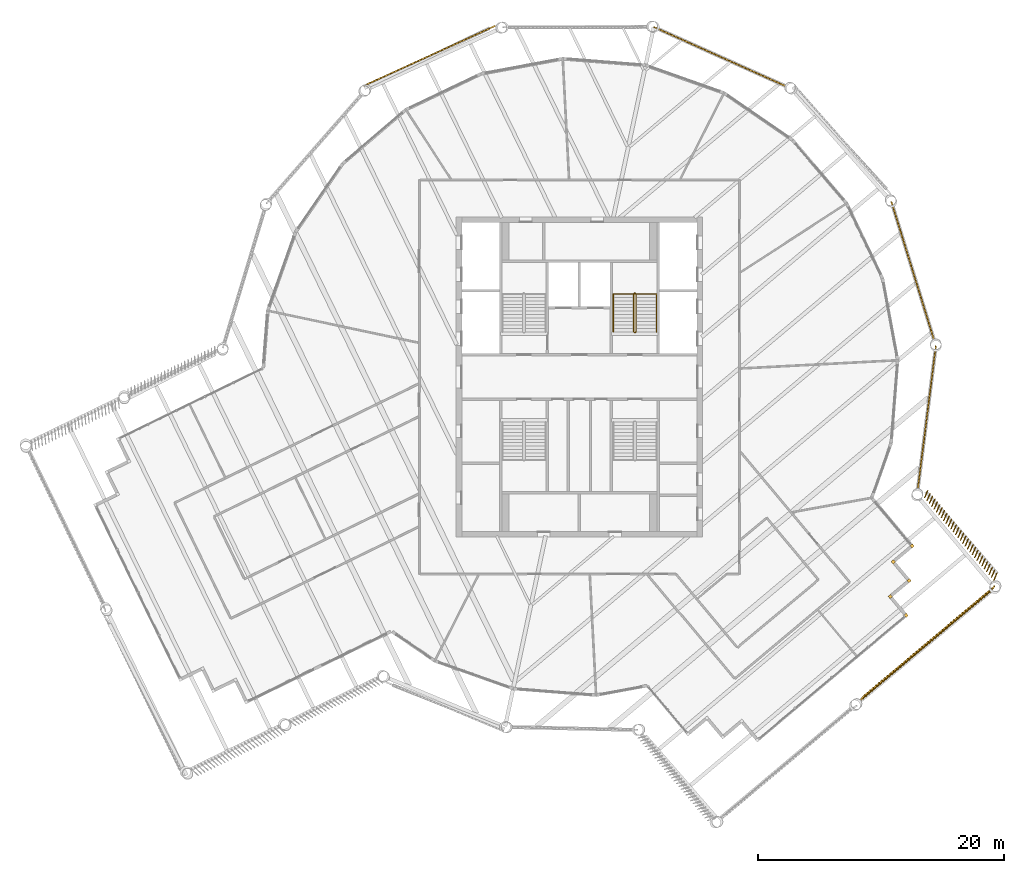
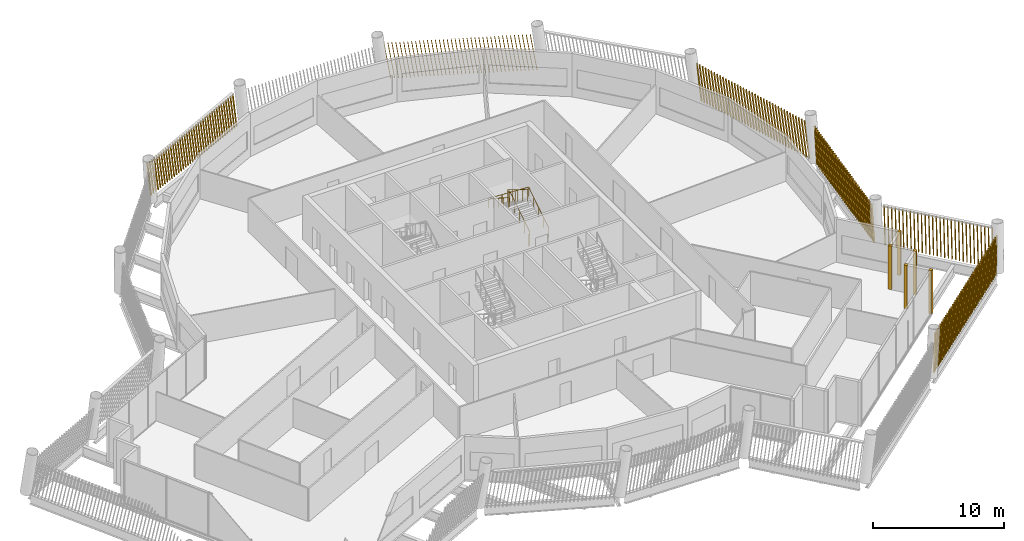
# One storey, part 29 of 31: 11 shading devices, 2 railings.
"""IFC4 building model written with IfcOpenShell, lengths in metres."""

import ifcopenshell
import ifcopenshell.guid

model = None  # the IFC model being written
_history = None  # IfcOwnerHistory: only IFC2X3 demands one
_inside = {}  # id of a spatial element -> (the spatial element, [elements in it])
_under = {}  # id of a project, library or spatial element -> (it, [spatial elements below it])
_declared = {}  # id of a project -> (the project, [libraries it declares])
_typed = {}  # id of a type object -> (the type object, [elements of that type])
_made_of = {}  # id of a material, layer set ... -> (it, [elements and type objects made of it])


def new_model(schema):
    """Start an empty IFC model of exactly this schema.

    Asked for "IFC4X3", IfcOpenShell would pick the latest addendum, in which some entities
    have other attributes; the version numbers below select the first issue.
    IFC2X3 requires an IfcOwnerHistory on every rooted entity: one is made here for all.
    """
    global model, _history
    if schema == "IFC4X3":
        model = ifcopenshell.file(schema_version=(4, 3, 0, 0))
    else:
        model = ifcopenshell.file(schema=schema)
    _inside.clear()
    _under.clear()
    _declared.clear()
    _typed.clear()
    _made_of.clear()
    _history = None
    if model.schema == "IFC2X3":
        org = make("IfcOrganization", Name="unknown")
        user = make(
            "IfcPersonAndOrganization",
            ThePerson=make("IfcPerson", FamilyName="unknown"),
            TheOrganization=org,
        )
        app = make(
            "IfcApplication",
            ApplicationDeveloper=org,
            Version="unknown",
            ApplicationFullName="unknown",
            ApplicationIdentifier="unknown",
        )
        _history = make(
            "IfcOwnerHistory",
            OwningUser=user,
            OwningApplication=app,
            ChangeAction="ADDED",
            CreationDate=0,
        )
    return model


def make(cls, **values):
    """One entity of the class cls with the attributes given. An attribute that is None is left unset."""
    return model.create_entity(
        cls, **{name: value for name, value in values.items() if value is not None}
    )


def rooted(cls, **values):
    """An entity with a GlobalId (a new one), such as an element, a storey or a relation."""
    return make(cls, GlobalId=ifcopenshell.guid.new(), OwnerHistory=_history, **values)


def si_unit(unit_type, name, prefix=None):
    """IfcSIUnit, for example si_unit("LENGTHUNIT", "METRE", prefix="MILLI")."""
    return make("IfcSIUnit", UnitType=unit_type, Prefix=prefix, Name=name)


def assignment(units):
    """IfcUnitAssignment: the units of a project."""
    return None if units is None else make("IfcUnitAssignment", Units=units)


def point(xyz):
    """IfcCartesianPoint."""
    return None if xyz is None else make("IfcCartesianPoint", Coordinates=xyz)


def direction(xyz):
    """IfcDirection."""
    return None if xyz is None else make("IfcDirection", DirectionRatios=xyz)


def frame(location, z_axis=None, x_axis=None):
    """IfcAxis2Placement3D, a coordinate frame: its origin and axes. An axis left out is left unset."""
    return make(
        "IfcAxis2Placement3D",
        Location=point(location),
        Axis=direction(z_axis),
        RefDirection=direction(x_axis),
    )


def frame_2d(location, x_axis=None):
    """IfcAxis2Placement2D, a coordinate frame in the plane: its origin and x axis."""
    return make(
        "IfcAxis2Placement2D", Location=point(location), RefDirection=direction(x_axis)
    )


def origin():
    """The frame at (0, 0, 0) with its axes left unset."""
    return frame((0.0, 0.0, 0.0))


def origin_2d():
    """The frame at (0, 0) in the plane with its x axis left unset."""
    return frame_2d((0.0, 0.0))


def place(relative_to, where):
    """IfcLocalPlacement: puts the frame where relative to a parent placement (None: the world)."""
    return make(
        "IfcLocalPlacement", PlacementRelTo=relative_to, RelativePlacement=where
    )


def context(
    kind, dimensions, precision=None, world=None, true_north=None, identifier=None
):
    """IfcGeometricRepresentationContext, for example the 3D "Model" context."""
    return make(
        "IfcGeometricRepresentationContext",
        ContextIdentifier=identifier,
        ContextType=kind,
        CoordinateSpaceDimension=dimensions,
        Precision=precision,
        WorldCoordinateSystem=world,
        TrueNorth=true_north,
    )


def subcontext(parent, identifier, kind, view, scale=None):
    """IfcGeometricRepresentationSubContext, for example "Body" below "Model"."""
    return make(
        "IfcGeometricRepresentationSubContext",
        ContextIdentifier=identifier,
        ContextType=kind,
        ParentContext=parent,
        TargetScale=scale,
        TargetView=view,
    )


def project(units=None, contexts=None):
    """IfcProject with its units and contexts."""
    return rooted(
        "IfcProject",
        Name="project",
        RepresentationContexts=contexts,
        UnitsInContext=assignment(units),
    )


def spatial(cls, under=None, at=None, **own):
    """A site, building, storey or space (cls), placed at a placement, below another one or the project."""
    s = rooted(cls, ObjectPlacement=at, **own)
    if under is not None:
        _under.setdefault(under.id(), (under, []))[1].append(s)
    return s


def profile(cls, at=None, kind="AREA", **sizes):
    """A parametric profile (cls). Its sizes go by their IFC names, for example OverallWidth=200.0."""
    return make(cls, ProfileType=kind, Position=at, **sizes)


def rectangle(**sizes):
    """IfcRectangleProfileDef."""
    return profile("IfcRectangleProfileDef", **sizes)


def circle(**sizes):
    """IfcCircleProfileDef."""
    return profile("IfcCircleProfileDef", **sizes)


def composite_profile(profiles, kind="AREA"):
    """IfcCompositeProfileDef: several profiles as one."""
    return make("IfcCompositeProfileDef", ProfileType=kind, Profiles=profiles)


def extrude(swept, where, along, depth):
    """IfcExtrudedAreaSolid: the profile swept, set in the frame where, extruded along a direction by depth."""
    return make(
        "IfcExtrudedAreaSolid",
        SweptArea=swept,
        Position=where,
        ExtrudedDirection=direction(along),
        Depth=depth,
    )


def shape(context_of_items, identifier, shape_type, items):
    """IfcShapeRepresentation: the items that make up one representation, for example the "Body"."""
    return make(
        "IfcShapeRepresentation",
        ContextOfItems=context_of_items,
        RepresentationIdentifier=identifier,
        RepresentationType=shape_type,
        Items=items,
    )


def material(Name=None, Category=None):
    """IfcMaterial."""
    return make("IfcMaterial", Name=Name, Category=Category)


def made_of(thing, what):
    """Note that an element or type object is made of a material, layer set ...; save() writes the relation."""
    if what is not None:
        _made_of.setdefault(what.id(), (what, []))[1].append(thing)
    return thing


def type_object(cls, material=None, **own):
    """A type object (cls), such as IfcWallType, which elements share."""
    return made_of(rooted(cls, **own), material)


def element(
    cls,
    number,
    at=None,
    inside=None,
    cuts=None,
    type_object=None,
    material=None,
    context=None,
    identifier="Body",
    shape_type=None,
    held_by="IfcProductDefinitionShape",
    body=None,
    shapes=None,
    **own,
):
    """One element of the class cls, such as IfcWall. Its Tag is "e" and its number.

    at: its placement. inside: the storey or other place that contains it. cuts: it is an
    opening in that element (IfcRelVoidsElement). A single representation is given by context,
    identifier, shape_type and body (its items); several are given by shapes. held_by: the class
    of the entity that holds the representations. save() writes the other relations.
    """
    e = rooted(cls, Tag="e%d" % number, ObjectPlacement=at, **own)
    if body is not None:
        shapes = [shape(context, identifier, shape_type, body)]
    if shapes is not None:
        e.Representation = make(held_by, Representations=shapes)
    if inside is not None:
        _inside.setdefault(inside.id(), (inside, []))[1].append(e)
    if cuts is not None:
        rooted(
            "IfcRelVoidsElement", RelatingBuildingElement=cuts, RelatedOpeningElement=e
        )
    if type_object is not None:
        _typed.setdefault(type_object.id(), (type_object, []))[1].append(e)
    return made_of(e, material)


def aggregate(whole, parts):
    """IfcRelAggregates: a whole, such as a stair, and the parts it consists of."""
    return rooted("IfcRelAggregates", RelatingObject=whole, RelatedObjects=parts)


def save(model, path):
    """Write the relations noted so far, then the file.

    IfcRelAggregates (storeys below a building ...), IfcRelContainedInSpatialStructure (elements
    in a storey), IfcRelDefinesByType, IfcRelAssociatesMaterial and IfcRelDeclares: one each for
    every whole, place, type object, material and project.
    """
    for whole, parts in _under.values():
        aggregate(whole, parts)
    for where, things in _inside.values():
        rooted(
            "IfcRelContainedInSpatialStructure",
            RelatedElements=things,
            RelatingStructure=where,
        )
    for kind, things in _typed.values():
        rooted("IfcRelDefinesByType", RelatedObjects=things, RelatingType=kind)
    for what, things in _made_of.values():
        rooted("IfcRelAssociatesMaterial", RelatedObjects=things, RelatingMaterial=what)
    for by, libraries in _declared.values():
        rooted("IfcRelDeclares", RelatingContext=by, RelatedDefinitions=libraries)
    model.write(path)


model = new_model("IFC4")

# Units and contexts
model_context = context("Model", 3, precision=1e-05, world=origin(), true_north=direction((0.0, 1.0)))
body_context = subcontext(model_context, "Body", "Model", "MODEL_VIEW")
ifc_project = project(units=[si_unit("LENGTHUNIT", "METRE"), si_unit("AREAUNIT", "SQUARE_METRE"), si_unit("VOLUMEUNIT", "CUBIC_METRE"), si_unit("PLANEANGLEUNIT", "RADIAN"), si_unit("MASSUNIT", "GRAM", prefix="KILO")], contexts=[model_context])

# Site, building, storey
site_placement = place(None, origin())
site = spatial("IfcSite", under=ifc_project, at=site_placement, CompositionType="ELEMENT")
building_placement = place(site_placement, origin())
building = spatial("IfcBuilding", under=site, at=building_placement, Name="Tarsis Ring Headquarters", CompositionType="ELEMENT")
storey_placement = place(building_placement, frame((0.0, 0.0, 390.199951171875)))
storey = spatial("IfcBuildingStorey", under=building, at=storey_placement, Name="L92", CompositionType="ELEMENT", Elevation=390.199951171875)

# Railings
ifc_material_1 = material(Name="Steel S355", Category="steel")
railing_type_1 = type_object("IfcRailingType", Name="Core stair guard 1100", PredefinedType="GUARDRAIL", material=ifc_material_1)
railing_1_placement = place(storey_placement, frame((4.4599609375, 3.610107421875, 0.0)))
element("IfcRailing", 1, at=railing_1_placement, inside=storey, type_object=railing_type_1, Name="L92 ST2 stair guard 1", PredefinedType="GUARDRAIL", context=body_context, shape_type="SweptSolid", body=[
    extrude(circle(Radius=0.02392578125, at=origin_2d()), frame((0.0, 0.0, 1.076171875), z_axis=(1.0, 0.0, 0.0), x_axis=(0.0, 1.0, 0.0)), (0.0, 0.0, 1.0), 0.080078125),
    extrude(circle(Radius=0.02392578125, at=origin_2d()), frame((0.080078125, 0.0, 1.076171875), z_axis=(0.265155923931, 0.263862480399, 0.927399011991), x_axis=(-0.705375805398, 0.708833529934, 0.0)), (0.0, 0.0, 1.0), 0.188720703125),
    extrude(circle(Radius=0.02392578125, at=origin_2d()), frame((0.130126953125, 0.0498046875, 1.2509765625), z_axis=(0.0, 0.847998304005, 0.529998940003), x_axis=(-1.0, 0.0, 0.0)), (0.0, 0.0, 1.0), 3.632080078125),
    extrude(circle(Radius=0.02392578125, at=origin_2d()), frame((0.130126953125, 3.1298828125, 3.17626953125), z_axis=(-0.707106781187, 0.707106781187, 0.0), x_axis=(-0.707106781187, -0.707106781187, 0.0)), (0.0, 0.0, 1.0), 0.07080078125),
    extrude(circle(Radius=0.02392578125, at=origin_2d()), frame((0.080078125, 3.179931640625, 3.17626953125), z_axis=(-1.0, 0.0, 0.0), x_axis=(0.0, -1.0, 0.0)), (0.0, 0.0, 1.0), 0.080078125),
    extrude(circle(Radius=0.02392578125, at=origin_2d()), frame((0.0, 3.179931640625, 3.17626953125), z_axis=(-0.265065253269, -0.265065253269, 0.927081885822), x_axis=(0.707106781187, -0.707106781187, 0.0)), (0.0, 0.0, 1.0), 0.188720703125),
    extrude(circle(Radius=0.02392578125, at=origin_2d()), frame((-0.050048828125, 3.1298828125, 3.35107421875), z_axis=(0.0, -0.848028513186, 0.529950602248), x_axis=(1.0, 0.0, 0.0)), (0.0, 0.0, 1.0), 3.632080078125),
    extrude(circle(Radius=0.02099609375, at=origin_2d()), origin(), (0.0, 0.0, 1.0), 1.052001953125),
    extrude(circle(Radius=0.02099609375, at=origin_2d()), frame((0.080078125, 0.0, 0.0)), (0.0, 0.0, 1.0), 1.052001953125),
    extrude(circle(Radius=0.02099609375, at=origin_2d()), frame((0.130126953125, 0.0498046875, 0.175048828125)), (0.0, 0.0, 1.0), 1.052001953125),
    extrude(circle(Radius=0.02099609375, at=origin_2d()), frame((0.130126953125, 0.81982421875, 0.65625)), (0.0, 0.0, 1.0), 1.052001953125),
    extrude(circle(Radius=0.02099609375, at=origin_2d()), frame((0.130126953125, 1.58984375, 1.1376953125)), (0.0, 0.0, 1.0), 1.052001953125),
    extrude(circle(Radius=0.02099609375, at=origin_2d()), frame((0.130126953125, 2.35986328125, 1.618896484375)), (0.0, 0.0, 1.0), 1.052001953125),
    extrude(circle(Radius=0.02099609375, at=origin_2d()), frame((0.130126953125, 3.1298828125, 2.10009765625)), (0.0, 0.0, 1.0), 1.052001953125),
    extrude(circle(Radius=0.02099609375, at=origin_2d()), frame((0.080078125, 3.179931640625, 2.10009765625)), (0.0, 0.0, 1.0), 1.052001953125),
    extrude(circle(Radius=0.02099609375, at=origin_2d()), frame((0.0, 3.179931640625, 2.10009765625)), (0.0, 0.0, 1.0), 1.052001953125),
    extrude(circle(Radius=0.02099609375, at=origin_2d()), frame((-0.050048828125, 3.1298828125, 2.275146484375)), (0.0, 0.0, 1.0), 1.052001953125),
    extrude(circle(Radius=0.02099609375, at=origin_2d()), frame((-0.050048828125, 2.35986328125, 2.75634765625)), (0.0, 0.0, 1.0), 1.052001953125),
    extrude(circle(Radius=0.02099609375, at=origin_2d()), frame((-0.050048828125, 1.58984375, 3.237548828125)), (0.0, 0.0, 1.0), 1.052001953125),
    extrude(circle(Radius=0.02099609375, at=origin_2d()), frame((-0.050048828125, 0.81982421875, 3.71875)), (0.0, 0.0, 1.0), 1.052001953125),
    extrude(circle(Radius=0.02099609375, at=origin_2d()), frame((-0.050048828125, 0.0498046875, 4.199951171875)), (0.0, 0.0, 1.0), 1.052001953125),
])
railing_type_2 = type_object("IfcRailingType", Name="Core stair handrail 900", PredefinedType="HANDRAIL", material=ifc_material_1)
railing_2_placement = place(storey_placement, frame((6.25, 3.659912109375, 0.175048828125)))
element("IfcRailing", 2, at=railing_2_placement, inside=storey, type_object=railing_type_2, Name="L92 ST2 stair handrail 1", PredefinedType="HANDRAIL", context=body_context, shape_type="SweptSolid", body=[
    extrude(circle(Radius=0.02392578125, at=origin_2d()), frame((0.0, 0.0, 0.8759765625), z_axis=(0.0, 0.847998304005, 0.529998940003), x_axis=(-1.0, 0.0, 0.0)), (0.0, 0.0, 1.0), 3.632080078125),
    extrude(circle(Radius=0.02392578125, at=origin_2d()), frame((0.0, 3.080078125, 2.80078125), z_axis=(-0.998751643845, 0.0, 0.049951515669), x_axis=(0.0, -1.0, 0.0)), (0.0, 0.0, 1.0), 3.50439453125),
    extrude(circle(Radius=0.02392578125, at=origin_2d()), frame((-3.5, 3.080078125, 2.97607421875), z_axis=(0.0, -0.848028513186, 0.529950602248), x_axis=(1.0, 0.0, 0.0)), (0.0, 0.0, 1.0), 3.632080078125),
    extrude(circle(Radius=0.02099609375, at=origin_2d()), origin(), (0.0, 0.0, 1.0), 0.851806640625),
    extrude(circle(Radius=0.02099609375, at=origin_2d()), frame((0.0, 0.77001953125, 0.481201171875)), (0.0, 0.0, 1.0), 0.851806640625),
    extrude(circle(Radius=0.02099609375, at=origin_2d()), frame((0.0, 1.5400390625, 0.96240234375)), (0.0, 0.0, 1.0), 0.851806640625),
    extrude(circle(Radius=0.02099609375, at=origin_2d()), frame((0.0, 2.31005859375, 1.44384765625)), (0.0, 0.0, 1.0), 0.851806640625),
    extrude(circle(Radius=0.02099609375, at=origin_2d()), frame((0.0, 3.080078125, 1.925048828125)), (0.0, 0.0, 1.0), 0.851806640625),
    extrude(circle(Radius=0.02099609375, at=origin_2d()), frame((-1.166748046875, 3.080078125, 1.9833984375)), (0.0, 0.0, 1.0), 0.851806640625),
    extrude(circle(Radius=0.02099609375, at=origin_2d()), frame((-2.333251953125, 3.080078125, 2.041748046875)), (0.0, 0.0, 1.0), 0.851806640625),
    extrude(circle(Radius=0.02099609375, at=origin_2d()), frame((-3.5, 3.080078125, 2.10009765625)), (0.0, 0.0, 1.0), 0.851806640625),
    extrude(circle(Radius=0.02099609375, at=origin_2d()), frame((-3.5, 2.31005859375, 2.581298828125)), (0.0, 0.0, 1.0), 0.851806640625),
    extrude(circle(Radius=0.02099609375, at=origin_2d()), frame((-3.5, 1.5400390625, 3.0625)), (0.0, 0.0, 1.0), 0.851806640625),
    extrude(circle(Radius=0.02099609375, at=origin_2d()), frame((-3.5, 0.77001953125, 3.543701171875)), (0.0, 0.0, 1.0), 0.851806640625),
    extrude(circle(Radius=0.02099609375, at=origin_2d()), frame((-3.5, 0.0, 4.02490234375)), (0.0, 0.0, 1.0), 0.851806640625),
])

# Shading devices
ifc_material_2 = material(Name="Terracotta baguette", Category="masonry")
shading_device_type_1 = type_object("IfcShadingDeviceType", Name="Terracotta baguette screen", PredefinedType="USERDEFINED", material=ifc_material_2)
shading_device_1_placement = place(storey_placement, frame((22.751953125, -26.3369140625, 0.0), z_axis=(0.0, 0.0, 1.0), x_axis=(0.766050420168, 0.642777532065, 0.0)))
element("IfcShadingDevice", 3, at=shading_device_1_placement, inside=storey, type_object=shading_device_type_1, Name="Baguette screen L92-03", ObjectType="Terracotta baguette screen", PredefinedType="USERDEFINED", context=body_context, shape_type="SweptSolid", body=[
    extrude(composite_profile([rectangle(XDim=0.06005859375, YDim=0.1201171875, at=frame_2d((0.030029296875, 0.0))), rectangle(XDim=0.06005859375, YDim=0.1201171875, at=frame_2d((0.33544921875, 0.0))), rectangle(XDim=0.06005859375, YDim=0.1201171875, at=frame_2d((0.640625, 0.0))), rectangle(XDim=0.06005859375, YDim=0.1201171875, at=frame_2d((0.946044921875, 0.0))), rectangle(XDim=0.06005859375, YDim=0.1201171875, at=frame_2d((1.25146484375, 0.0))), rectangle(XDim=0.06005859375, YDim=0.1201171875, at=frame_2d((1.556640625, 0.0))), rectangle(XDim=0.06005859375, YDim=0.1201171875, at=frame_2d((1.862060546875, 0.0))), rectangle(XDim=0.06005859375, YDim=0.1201171875, at=frame_2d((2.16748046875, 0.0))), rectangle(XDim=0.06005859375, YDim=0.1201171875, at=frame_2d((2.47265625, 0.0))), rectangle(XDim=0.06005859375, YDim=0.1201171875, at=frame_2d((2.778076171875, 0.0))), rectangle(XDim=0.06005859375, YDim=0.1201171875, at=frame_2d((3.08349609375, 0.0))), rectangle(XDim=0.06005859375, YDim=0.1201171875, at=frame_2d((3.388671875, 0.0))), rectangle(XDim=0.06005859375, YDim=0.1201171875, at=frame_2d((3.694091796875, 0.0))), rectangle(XDim=0.06005859375, YDim=0.1201171875, at=frame_2d((3.99951171875, 0.0))), rectangle(XDim=0.06005859375, YDim=0.1201171875, at=frame_2d((4.3046875, 0.0))), rectangle(XDim=0.06005859375, YDim=0.1201171875, at=frame_2d((4.610107421875, 0.0))), rectangle(XDim=0.06005859375, YDim=0.1201171875, at=frame_2d((4.91552734375, 0.0))), rectangle(XDim=0.06005859375, YDim=0.1201171875, at=frame_2d((5.220703125, 0.0))), rectangle(XDim=0.06005859375, YDim=0.1201171875, at=frame_2d((5.526123046875, 0.0))), rectangle(XDim=0.06005859375, YDim=0.1201171875, at=frame_2d((5.83154296875, 0.0))), rectangle(XDim=0.06005859375, YDim=0.1201171875, at=frame_2d((6.13671875, 0.0))), rectangle(XDim=0.06005859375, YDim=0.1201171875, at=frame_2d((6.442138671875, 0.0))), rectangle(XDim=0.06005859375, YDim=0.1201171875, at=frame_2d((6.74755859375, 0.0))), rectangle(XDim=0.06005859375, YDim=0.1201171875, at=frame_2d((7.052734375, 0.0))), rectangle(XDim=0.06005859375, YDim=0.1201171875, at=frame_2d((7.358154296875, 0.0))), rectangle(XDim=0.06005859375, YDim=0.1201171875, at=frame_2d((7.66357421875, 0.0))), rectangle(XDim=0.06005859375, YDim=0.1201171875, at=frame_2d((7.96875, 0.0))), rectangle(XDim=0.06005859375, YDim=0.1201171875, at=frame_2d((8.274169921875, 0.0))), rectangle(XDim=0.06005859375, YDim=0.1201171875, at=frame_2d((8.57958984375, 0.0))), rectangle(XDim=0.06005859375, YDim=0.1201171875, at=frame_2d((8.884765625, 0.0))), rectangle(XDim=0.06005859375, YDim=0.1201171875, at=frame_2d((9.190185546875, 0.0))), rectangle(XDim=0.06005859375, YDim=0.1201171875, at=frame_2d((9.49560546875, 0.0))), rectangle(XDim=0.06005859375, YDim=0.1201171875, at=frame_2d((9.80078125, 0.0))), rectangle(XDim=0.06005859375, YDim=0.1201171875, at=frame_2d((10.106201171875, 0.0))), rectangle(XDim=0.06005859375, YDim=0.1201171875, at=frame_2d((10.41162109375, 0.0))), rectangle(XDim=0.06005859375, YDim=0.1201171875, at=frame_2d((10.716796875, 0.0))), rectangle(XDim=0.06005859375, YDim=0.1201171875, at=frame_2d((11.022216796875, 0.0))), rectangle(XDim=0.06005859375, YDim=0.1201171875, at=frame_2d((11.32763671875, 0.0))), rectangle(XDim=0.06005859375, YDim=0.1201171875, at=frame_2d((11.6328125, 0.0))), rectangle(XDim=0.06005859375, YDim=0.1201171875, at=frame_2d((11.938232421875, 0.0))), rectangle(XDim=0.06005859375, YDim=0.1201171875, at=frame_2d((12.24365234375, 0.0))), rectangle(XDim=0.06005859375, YDim=0.1201171875, at=frame_2d((12.548828125, 0.0))), rectangle(XDim=0.06005859375, YDim=0.1201171875, at=frame_2d((12.854248046875, 0.0))), rectangle(XDim=0.06005859375, YDim=0.1201171875, at=frame_2d((13.15966796875, 0.0))), rectangle(XDim=0.06005859375, YDim=0.1201171875, at=frame_2d((13.46484375, 0.0))), rectangle(XDim=0.06005859375, YDim=0.1201171875, at=frame_2d((13.770263671875, 0.0)))]), origin(), (0.188550264771, 0.041888406499, 0.981169791145), 3.343505859375),
])
shading_device_2_placement = place(storey_placement, frame((33.67236328125, -16.52099609375, 0.0), z_axis=(0.0, 0.0, 1.0), x_axis=(-0.64279178105, 0.766048304356, 0.0)))
element("IfcShadingDevice", 4, at=shading_device_2_placement, inside=storey, type_object=shading_device_type_1, Name="Baguette screen L92-04", ObjectType="Terracotta baguette screen", PredefinedType="USERDEFINED", context=body_context, shape_type="SweptSolid", body=[
    extrude(composite_profile([rectangle(XDim=0.06005859375, YDim=0.1201171875, at=frame_2d((0.030029296875, 0.0))), rectangle(XDim=0.06005859375, YDim=0.1201171875, at=frame_2d((0.33154296875, 0.0))), rectangle(XDim=0.06005859375, YDim=0.1201171875, at=frame_2d((0.633056640625, 0.0))), rectangle(XDim=0.06005859375, YDim=0.1201171875, at=frame_2d((0.9345703125, 0.0))), rectangle(XDim=0.06005859375, YDim=0.1201171875, at=frame_2d((1.236083984375, 0.0))), rectangle(XDim=0.06005859375, YDim=0.1201171875, at=frame_2d((1.53759765625, 0.0))), rectangle(XDim=0.06005859375, YDim=0.1201171875, at=frame_2d((1.839111328125, 0.0))), rectangle(XDim=0.06005859375, YDim=0.1201171875, at=frame_2d((2.140625, 0.0))), rectangle(XDim=0.06005859375, YDim=0.1201171875, at=frame_2d((2.442138671875, 0.0))), rectangle(XDim=0.06005859375, YDim=0.1201171875, at=frame_2d((2.74365234375, 0.0))), rectangle(XDim=0.06005859375, YDim=0.1201171875, at=frame_2d((3.045166015625, 0.0))), rectangle(XDim=0.06005859375, YDim=0.1201171875, at=frame_2d((3.3466796875, 0.0))), rectangle(XDim=0.06005859375, YDim=0.1201171875, at=frame_2d((3.648193359375, 0.0))), rectangle(XDim=0.06005859375, YDim=0.1201171875, at=frame_2d((3.94970703125, 0.0))), rectangle(XDim=0.06005859375, YDim=0.1201171875, at=frame_2d((4.251220703125, 0.0))), rectangle(XDim=0.06005859375, YDim=0.1201171875, at=frame_2d((4.552978515625, 0.0))), rectangle(XDim=0.06005859375, YDim=0.1201171875, at=frame_2d((4.8544921875, 0.0))), rectangle(XDim=0.06005859375, YDim=0.1201171875, at=frame_2d((5.156005859375, 0.0))), rectangle(XDim=0.06005859375, YDim=0.1201171875, at=frame_2d((5.45751953125, 0.0))), rectangle(XDim=0.06005859375, YDim=0.1201171875, at=frame_2d((5.759033203125, 0.0))), rectangle(XDim=0.06005859375, YDim=0.1201171875, at=frame_2d((6.060546875, 0.0))), rectangle(XDim=0.06005859375, YDim=0.1201171875, at=frame_2d((6.362060546875, 0.0))), rectangle(XDim=0.06005859375, YDim=0.1201171875, at=frame_2d((6.66357421875, 0.0))), rectangle(XDim=0.06005859375, YDim=0.1201171875, at=frame_2d((6.965087890625, 0.0))), rectangle(XDim=0.06005859375, YDim=0.1201171875, at=frame_2d((7.2666015625, 0.0))), rectangle(XDim=0.06005859375, YDim=0.1201171875, at=frame_2d((7.568115234375, 0.0))), rectangle(XDim=0.06005859375, YDim=0.1201171875, at=frame_2d((7.86962890625, 0.0))), rectangle(XDim=0.06005859375, YDim=0.1201171875, at=frame_2d((8.171142578125, 0.0))), rectangle(XDim=0.06005859375, YDim=0.1201171875, at=frame_2d((8.47265625, 0.0))), rectangle(XDim=0.06005859375, YDim=0.1201171875, at=frame_2d((8.774169921875, 0.0)))]), origin(), (0.084028112492, -0.161894829026, 0.983223952437), 3.33642578125),
])
shading_device_3_placement = place(storey_placement, frame((27.467041015625, -9.138427734375, 0.0), z_axis=(0.0, 0.0, 1.0), x_axis=(0.125295713511, 0.992121540966, 0.0)))
element("IfcShadingDevice", 5, at=shading_device_3_placement, inside=storey, type_object=shading_device_type_1, Name="Baguette screen L92-05", ObjectType="Terracotta baguette screen", PredefinedType="USERDEFINED", context=body_context, shape_type="SweptSolid", body=[
    extrude(composite_profile([rectangle(XDim=0.06005859375, YDim=0.1201171875, at=frame_2d((0.030029296875, 0.0))), rectangle(XDim=0.06005859375, YDim=0.1201171875, at=frame_2d((0.33251953125, 0.0))), rectangle(XDim=0.06005859375, YDim=0.1201171875, at=frame_2d((0.634765625, 0.0))), rectangle(XDim=0.06005859375, YDim=0.1201171875, at=frame_2d((0.937255859375, 0.0))), rectangle(XDim=0.06005859375, YDim=0.1201171875, at=frame_2d((1.239501953125, 0.0))), rectangle(XDim=0.06005859375, YDim=0.1201171875, at=frame_2d((1.5419921875, 0.0))), rectangle(XDim=0.06005859375, YDim=0.1201171875, at=frame_2d((1.844482421875, 0.0))), rectangle(XDim=0.06005859375, YDim=0.1201171875, at=frame_2d((2.146728515625, 0.0))), rectangle(XDim=0.06005859375, YDim=0.1201171875, at=frame_2d((2.44921875, 0.0))), rectangle(XDim=0.06005859375, YDim=0.1201171875, at=frame_2d((2.751708984375, 0.0))), rectangle(XDim=0.06005859375, YDim=0.1201171875, at=frame_2d((3.053955078125, 0.0))), rectangle(XDim=0.06005859375, YDim=0.1201171875, at=frame_2d((3.3564453125, 0.0))), rectangle(XDim=0.06005859375, YDim=0.1201171875, at=frame_2d((3.65869140625, 0.0))), rectangle(XDim=0.06005859375, YDim=0.1201171875, at=frame_2d((3.961181640625, 0.0))), rectangle(XDim=0.06005859375, YDim=0.1201171875, at=frame_2d((4.263671875, 0.0))), rectangle(XDim=0.06005859375, YDim=0.1201171875, at=frame_2d((4.56591796875, 0.0))), rectangle(XDim=0.06005859375, YDim=0.1201171875, at=frame_2d((4.868408203125, 0.0))), rectangle(XDim=0.06005859375, YDim=0.1201171875, at=frame_2d((5.1708984375, 0.0))), rectangle(XDim=0.06005859375, YDim=0.1201171875, at=frame_2d((5.47314453125, 0.0))), rectangle(XDim=0.06005859375, YDim=0.1201171875, at=frame_2d((5.775634765625, 0.0))), rectangle(XDim=0.06005859375, YDim=0.1201171875, at=frame_2d((6.077880859375, 0.0))), rectangle(XDim=0.06005859375, YDim=0.1201171875, at=frame_2d((6.38037109375, 0.0))), rectangle(XDim=0.06005859375, YDim=0.1201171875, at=frame_2d((6.682861328125, 0.0))), rectangle(XDim=0.06005859375, YDim=0.1201171875, at=frame_2d((6.985107421875, 0.0))), rectangle(XDim=0.06005859375, YDim=0.1201171875, at=frame_2d((7.28759765625, 0.0))), rectangle(XDim=0.06005859375, YDim=0.1201171875, at=frame_2d((7.590087890625, 0.0))), rectangle(XDim=0.06005859375, YDim=0.1201171875, at=frame_2d((7.892333984375, 0.0))), rectangle(XDim=0.06005859375, YDim=0.1201171875, at=frame_2d((8.19482421875, 0.0))), rectangle(XDim=0.06005859375, YDim=0.1201171875, at=frame_2d((8.4970703125, 0.0))), rectangle(XDim=0.06005859375, YDim=0.1201171875, at=frame_2d((8.799560546875, 0.0))), rectangle(XDim=0.06005859375, YDim=0.1201171875, at=frame_2d((9.10205078125, 0.0))), rectangle(XDim=0.06005859375, YDim=0.1201171875, at=frame_2d((9.404296875, 0.0))), rectangle(XDim=0.06005859375, YDim=0.1201171875, at=frame_2d((9.706787109375, 0.0))), rectangle(XDim=0.06005859375, YDim=0.1201171875, at=frame_2d((10.00927734375, 0.0))), rectangle(XDim=0.06005859375, YDim=0.1201171875, at=frame_2d((10.3115234375, 0.0))), rectangle(XDim=0.06005859375, YDim=0.1201171875, at=frame_2d((10.614013671875, 0.0))), rectangle(XDim=0.06005859375, YDim=0.1201171875, at=frame_2d((10.916259765625, 0.0))), rectangle(XDim=0.06005859375, YDim=0.1201171875, at=frame_2d((11.21875, 0.0)))]), origin(), (0.155203468942, 0.001406346368, 0.987881523979), 3.32080078125),
])
shading_device_4_placement = place(storey_placement, frame((28.791748046875, 2.99560546875, 0.0), z_axis=(0.0, 0.0, 1.0), x_axis=(-0.294758545849, 0.955572436245, 0.0)))
element("IfcShadingDevice", 6, at=shading_device_4_placement, inside=storey, type_object=shading_device_type_1, Name="Baguette screen L92-06", ObjectType="Terracotta baguette screen", PredefinedType="USERDEFINED", context=body_context, shape_type="SweptSolid", body=[
    extrude(composite_profile([rectangle(XDim=0.06005859375, YDim=0.1201171875, at=frame_2d((0.030029296875, 0.0))), rectangle(XDim=0.06005859375, YDim=0.1201171875, at=frame_2d((0.33251953125, 0.0))), rectangle(XDim=0.06005859375, YDim=0.1201171875, at=frame_2d((0.634765625, 0.0))), rectangle(XDim=0.06005859375, YDim=0.1201171875, at=frame_2d((0.937255859375, 0.0))), rectangle(XDim=0.06005859375, YDim=0.1201171875, at=frame_2d((1.239501953125, 0.0))), rectangle(XDim=0.06005859375, YDim=0.1201171875, at=frame_2d((1.5419921875, 0.0))), rectangle(XDim=0.06005859375, YDim=0.1201171875, at=frame_2d((1.844482421875, 0.0))), rectangle(XDim=0.06005859375, YDim=0.1201171875, at=frame_2d((2.146728515625, 0.0))), rectangle(XDim=0.06005859375, YDim=0.1201171875, at=frame_2d((2.44921875, 0.0))), rectangle(XDim=0.06005859375, YDim=0.1201171875, at=frame_2d((2.751708984375, 0.0))), rectangle(XDim=0.06005859375, YDim=0.1201171875, at=frame_2d((3.053955078125, 0.0))), rectangle(XDim=0.06005859375, YDim=0.1201171875, at=frame_2d((3.3564453125, 0.0))), rectangle(XDim=0.06005859375, YDim=0.1201171875, at=frame_2d((3.65869140625, 0.0))), rectangle(XDim=0.06005859375, YDim=0.1201171875, at=frame_2d((3.961181640625, 0.0))), rectangle(XDim=0.06005859375, YDim=0.1201171875, at=frame_2d((4.263671875, 0.0))), rectangle(XDim=0.06005859375, YDim=0.1201171875, at=frame_2d((4.56591796875, 0.0))), rectangle(XDim=0.06005859375, YDim=0.1201171875, at=frame_2d((4.868408203125, 0.0))), rectangle(XDim=0.06005859375, YDim=0.1201171875, at=frame_2d((5.1708984375, 0.0))), rectangle(XDim=0.06005859375, YDim=0.1201171875, at=frame_2d((5.47314453125, 0.0))), rectangle(XDim=0.06005859375, YDim=0.1201171875, at=frame_2d((5.775634765625, 0.0))), rectangle(XDim=0.06005859375, YDim=0.1201171875, at=frame_2d((6.077880859375, 0.0))), rectangle(XDim=0.06005859375, YDim=0.1201171875, at=frame_2d((6.38037109375, 0.0))), rectangle(XDim=0.06005859375, YDim=0.1201171875, at=frame_2d((6.682861328125, 0.0))), rectangle(XDim=0.06005859375, YDim=0.1201171875, at=frame_2d((6.985107421875, 0.0))), rectangle(XDim=0.06005859375, YDim=0.1201171875, at=frame_2d((7.28759765625, 0.0))), rectangle(XDim=0.06005859375, YDim=0.1201171875, at=frame_2d((7.590087890625, 0.0))), rectangle(XDim=0.06005859375, YDim=0.1201171875, at=frame_2d((7.892333984375, 0.0))), rectangle(XDim=0.06005859375, YDim=0.1201171875, at=frame_2d((8.19482421875, 0.0))), rectangle(XDim=0.06005859375, YDim=0.1201171875, at=frame_2d((8.4970703125, 0.0))), rectangle(XDim=0.06005859375, YDim=0.1201171875, at=frame_2d((8.799560546875, 0.0))), rectangle(XDim=0.06005859375, YDim=0.1201171875, at=frame_2d((9.10205078125, 0.0))), rectangle(XDim=0.06005859375, YDim=0.1201171875, at=frame_2d((9.404296875, 0.0))), rectangle(XDim=0.06005859375, YDim=0.1201171875, at=frame_2d((9.706787109375, 0.0))), rectangle(XDim=0.06005859375, YDim=0.1201171875, at=frame_2d((10.00927734375, 0.0))), rectangle(XDim=0.06005859375, YDim=0.1201171875, at=frame_2d((10.3115234375, 0.0))), rectangle(XDim=0.06005859375, YDim=0.1201171875, at=frame_2d((10.614013671875, 0.0))), rectangle(XDim=0.06005859375, YDim=0.1201171875, at=frame_2d((10.916259765625, 0.0))), rectangle(XDim=0.06005859375, YDim=0.1201171875, at=frame_2d((11.21875, 0.0)))]), origin(), (0.155203007409, 0.001410559888, 0.987881590481), 3.32080078125),
])
shading_device_5_placement = place(storey_placement, frame((16.75830078125, 23.60302734375, 0.0), z_axis=(0.0, 0.0, 1.0), x_axis=(-0.912338578405, 0.409462832339, 0.0)))
element("IfcShadingDevice", 7, at=shading_device_5_placement, inside=storey, type_object=shading_device_type_1, Name="Baguette screen L92-08", ObjectType="Terracotta baguette screen", PredefinedType="USERDEFINED", context=body_context, shape_type="SweptSolid", body=[
    extrude(composite_profile([rectangle(XDim=0.06005859375, YDim=0.1201171875, at=frame_2d((0.030029296875, 0.0))), rectangle(XDim=0.06005859375, YDim=0.1201171875, at=frame_2d((0.33251953125, 0.0))), rectangle(XDim=0.06005859375, YDim=0.1201171875, at=frame_2d((0.634765625, 0.0))), rectangle(XDim=0.06005859375, YDim=0.1201171875, at=frame_2d((0.937255859375, 0.0))), rectangle(XDim=0.06005859375, YDim=0.1201171875, at=frame_2d((1.239501953125, 0.0))), rectangle(XDim=0.06005859375, YDim=0.1201171875, at=frame_2d((1.5419921875, 0.0))), rectangle(XDim=0.06005859375, YDim=0.1201171875, at=frame_2d((1.844482421875, 0.0))), rectangle(XDim=0.06005859375, YDim=0.1201171875, at=frame_2d((2.146728515625, 0.0))), rectangle(XDim=0.06005859375, YDim=0.1201171875, at=frame_2d((2.44921875, 0.0))), rectangle(XDim=0.06005859375, YDim=0.1201171875, at=frame_2d((2.751708984375, 0.0))), rectangle(XDim=0.06005859375, YDim=0.1201171875, at=frame_2d((3.053955078125, 0.0))), rectangle(XDim=0.06005859375, YDim=0.1201171875, at=frame_2d((3.3564453125, 0.0))), rectangle(XDim=0.06005859375, YDim=0.1201171875, at=frame_2d((3.65869140625, 0.0))), rectangle(XDim=0.06005859375, YDim=0.1201171875, at=frame_2d((3.961181640625, 0.0))), rectangle(XDim=0.06005859375, YDim=0.1201171875, at=frame_2d((4.263671875, 0.0))), rectangle(XDim=0.06005859375, YDim=0.1201171875, at=frame_2d((4.56591796875, 0.0))), rectangle(XDim=0.06005859375, YDim=0.1201171875, at=frame_2d((4.868408203125, 0.0))), rectangle(XDim=0.06005859375, YDim=0.1201171875, at=frame_2d((5.1708984375, 0.0))), rectangle(XDim=0.06005859375, YDim=0.1201171875, at=frame_2d((5.47314453125, 0.0))), rectangle(XDim=0.06005859375, YDim=0.1201171875, at=frame_2d((5.775634765625, 0.0))), rectangle(XDim=0.06005859375, YDim=0.1201171875, at=frame_2d((6.077880859375, 0.0))), rectangle(XDim=0.06005859375, YDim=0.1201171875, at=frame_2d((6.38037109375, 0.0))), rectangle(XDim=0.06005859375, YDim=0.1201171875, at=frame_2d((6.682861328125, 0.0))), rectangle(XDim=0.06005859375, YDim=0.1201171875, at=frame_2d((6.985107421875, 0.0))), rectangle(XDim=0.06005859375, YDim=0.1201171875, at=frame_2d((7.28759765625, 0.0))), rectangle(XDim=0.06005859375, YDim=0.1201171875, at=frame_2d((7.590087890625, 0.0))), rectangle(XDim=0.06005859375, YDim=0.1201171875, at=frame_2d((7.892333984375, 0.0))), rectangle(XDim=0.06005859375, YDim=0.1201171875, at=frame_2d((8.19482421875, 0.0))), rectangle(XDim=0.06005859375, YDim=0.1201171875, at=frame_2d((8.4970703125, 0.0))), rectangle(XDim=0.06005859375, YDim=0.1201171875, at=frame_2d((8.799560546875, 0.0))), rectangle(XDim=0.06005859375, YDim=0.1201171875, at=frame_2d((9.10205078125, 0.0))), rectangle(XDim=0.06005859375, YDim=0.1201171875, at=frame_2d((9.404296875, 0.0))), rectangle(XDim=0.06005859375, YDim=0.1201171875, at=frame_2d((9.706787109375, 0.0))), rectangle(XDim=0.06005859375, YDim=0.1201171875, at=frame_2d((10.00927734375, 0.0))), rectangle(XDim=0.06005859375, YDim=0.1201171875, at=frame_2d((10.3115234375, 0.0))), rectangle(XDim=0.06005859375, YDim=0.1201171875, at=frame_2d((10.614013671875, 0.0))), rectangle(XDim=0.06005859375, YDim=0.1201171875, at=frame_2d((10.916259765625, 0.0))), rectangle(XDim=0.06005859375, YDim=0.1201171875, at=frame_2d((11.21875, 0.0)))]), origin(), (0.155204797406, 0.001407381897, 0.987881313791), 3.32080078125),
])
shading_device_6_placement = place(storey_placement, frame((-6.81982421875, 28.510986328125, 0.0), z_axis=(0.0, 0.0, 1.0), x_axis=(-0.909844604566, -0.414923170414, 0.0)))
element("IfcShadingDevice", 8, at=shading_device_6_placement, inside=storey, type_object=shading_device_type_1, Name="Baguette screen L92-10", ObjectType="Terracotta baguette screen", PredefinedType="USERDEFINED", context=body_context, shape_type="SweptSolid", body=[
    extrude(composite_profile([rectangle(XDim=0.06005859375, YDim=0.1201171875, at=frame_2d((0.030029296875, 0.0))), rectangle(XDim=0.06005859375, YDim=0.1201171875, at=frame_2d((0.33251953125, 0.0))), rectangle(XDim=0.06005859375, YDim=0.1201171875, at=frame_2d((0.634765625, 0.0))), rectangle(XDim=0.06005859375, YDim=0.1201171875, at=frame_2d((0.937255859375, 0.0))), rectangle(XDim=0.06005859375, YDim=0.1201171875, at=frame_2d((1.239501953125, 0.0))), rectangle(XDim=0.06005859375, YDim=0.1201171875, at=frame_2d((1.5419921875, 0.0))), rectangle(XDim=0.06005859375, YDim=0.1201171875, at=frame_2d((1.844482421875, 0.0))), rectangle(XDim=0.06005859375, YDim=0.1201171875, at=frame_2d((2.146728515625, 0.0))), rectangle(XDim=0.06005859375, YDim=0.1201171875, at=frame_2d((2.44921875, 0.0))), rectangle(XDim=0.06005859375, YDim=0.1201171875, at=frame_2d((2.751708984375, 0.0))), rectangle(XDim=0.06005859375, YDim=0.1201171875, at=frame_2d((3.053955078125, 0.0))), rectangle(XDim=0.06005859375, YDim=0.1201171875, at=frame_2d((3.3564453125, 0.0))), rectangle(XDim=0.06005859375, YDim=0.1201171875, at=frame_2d((3.65869140625, 0.0))), rectangle(XDim=0.06005859375, YDim=0.1201171875, at=frame_2d((3.961181640625, 0.0))), rectangle(XDim=0.06005859375, YDim=0.1201171875, at=frame_2d((4.263671875, 0.0))), rectangle(XDim=0.06005859375, YDim=0.1201171875, at=frame_2d((4.56591796875, 0.0))), rectangle(XDim=0.06005859375, YDim=0.1201171875, at=frame_2d((4.868408203125, 0.0))), rectangle(XDim=0.06005859375, YDim=0.1201171875, at=frame_2d((5.1708984375, 0.0))), rectangle(XDim=0.06005859375, YDim=0.1201171875, at=frame_2d((5.47314453125, 0.0))), rectangle(XDim=0.06005859375, YDim=0.1201171875, at=frame_2d((5.775634765625, 0.0))), rectangle(XDim=0.06005859375, YDim=0.1201171875, at=frame_2d((6.077880859375, 0.0))), rectangle(XDim=0.06005859375, YDim=0.1201171875, at=frame_2d((6.38037109375, 0.0))), rectangle(XDim=0.06005859375, YDim=0.1201171875, at=frame_2d((6.682861328125, 0.0))), rectangle(XDim=0.06005859375, YDim=0.1201171875, at=frame_2d((6.985107421875, 0.0))), rectangle(XDim=0.06005859375, YDim=0.1201171875, at=frame_2d((7.28759765625, 0.0))), rectangle(XDim=0.06005859375, YDim=0.1201171875, at=frame_2d((7.590087890625, 0.0))), rectangle(XDim=0.06005859375, YDim=0.1201171875, at=frame_2d((7.892333984375, 0.0))), rectangle(XDim=0.06005859375, YDim=0.1201171875, at=frame_2d((8.19482421875, 0.0))), rectangle(XDim=0.06005859375, YDim=0.1201171875, at=frame_2d((8.4970703125, 0.0))), rectangle(XDim=0.06005859375, YDim=0.1201171875, at=frame_2d((8.799560546875, 0.0))), rectangle(XDim=0.06005859375, YDim=0.1201171875, at=frame_2d((9.10205078125, 0.0))), rectangle(XDim=0.06005859375, YDim=0.1201171875, at=frame_2d((9.404296875, 0.0))), rectangle(XDim=0.06005859375, YDim=0.1201171875, at=frame_2d((9.706787109375, 0.0))), rectangle(XDim=0.06005859375, YDim=0.1201171875, at=frame_2d((10.00927734375, 0.0))), rectangle(XDim=0.06005859375, YDim=0.1201171875, at=frame_2d((10.3115234375, 0.0))), rectangle(XDim=0.06005859375, YDim=0.1201171875, at=frame_2d((10.614013671875, 0.0))), rectangle(XDim=0.06005859375, YDim=0.1201171875, at=frame_2d((10.916259765625, 0.0))), rectangle(XDim=0.06005859375, YDim=0.1201171875, at=frame_2d((11.21875, 0.0)))]), origin(), (0.157200432101, 0.001423971121, 0.987565692222), 3.32177734375),
])
shading_device_type_2 = type_object("IfcShadingDeviceType", Name="Terracotta corner baguette 250x250", PredefinedType="USERDEFINED", material=ifc_material_2)
for number, where, z_axis, x_axis, name in (
    (9, (26.521484375, -19.355712890625, 0.0), (0.0, 0.0, 1.0), (0.7660444319, 0.642787623057, 0.0), "Corner baguette L92-12"),
    (10, (25.23583984375, -17.82373046875, 0.0), (0.0, 0.0, 1.0), (-0.642787810236, 0.766044274838, 0.0), "Corner baguette L92-13"),
    (11, (26.76806640625, -16.5380859375, 0.0), (0.0, 0.0, 1.0), (0.76604452165, 0.642787516097, 0.0), "Corner baguette L92-14"),
    (12, (25.482421875, -15.005859375, 0.0), (0.0, 0.0, 1.0), (-0.642787475987, 0.766044555307, 0.0), "Corner baguette L92-15"),
    (13, (27.014404296875, -13.720458984375, 0.0), (0.0, 0.0, 1.0), (0.766044274838, 0.642787810236, 0.0), "Corner baguette L92-16"),
):
    element("IfcShadingDevice", number, at=place(storey_placement, frame(where, z_axis=z_axis, x_axis=x_axis)), inside=storey, type_object=shading_device_type_2, Name=name, ObjectType="Terracotta corner baguette", PredefinedType="USERDEFINED", context=body_context, shape_type="SweptSolid", body=[
        extrude(rectangle(XDim=0.25, YDim=0.25, at=origin_2d()), origin(), (0.0, 0.0, 1.0), 4.0400390625),
    ])

save(model, "model.ifc")
